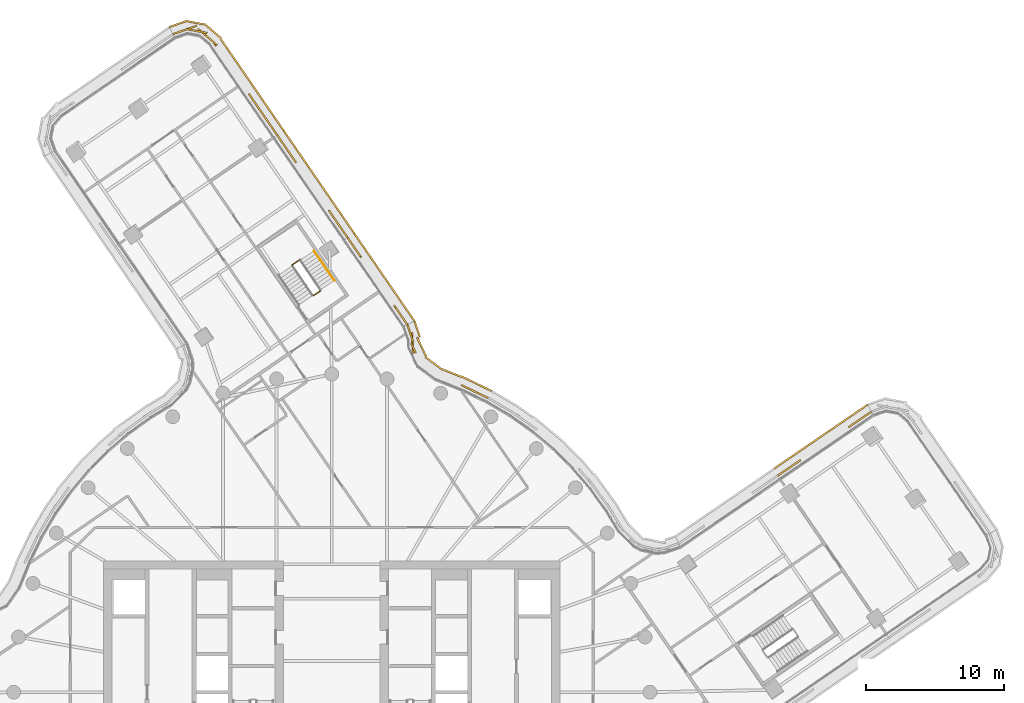
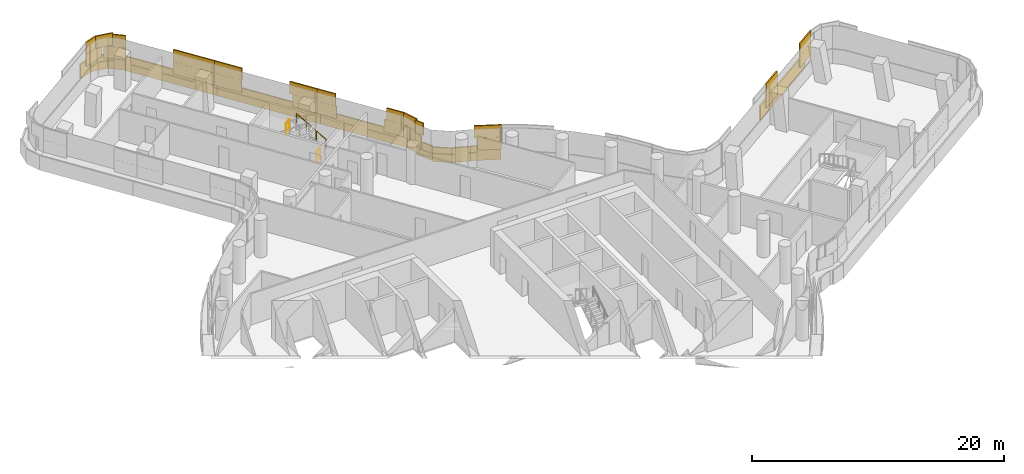
# One storey, part 33 of 33: 5 coverings, 3 railings.
"""IFC4 building model written with IfcOpenShell, lengths in metres."""

from ifc_helpers import new_model, si_unit, direction, frame, origin, origin_2d, place, context, subcontext, project, spatial, rectangle, circle, extrude, material, layer, layer_set, type_object, element, save


model = new_model("IFC4")

# Units and contexts
model_context = context("Model", 3, precision=1e-05, world=origin(), true_north=direction((0.0, 1.0)))
body_context = subcontext(model_context, "Body", "Model", "MODEL_VIEW")
ifc_project = project(units=[si_unit("LENGTHUNIT", "METRE"), si_unit("AREAUNIT", "SQUARE_METRE"), si_unit("VOLUMEUNIT", "CUBIC_METRE"), si_unit("PLANEANGLEUNIT", "RADIAN"), si_unit("MASSUNIT", "GRAM", prefix="KILO")], contexts=[model_context])

# Site, building, storey
site_placement = place(None, origin())
site = spatial("IfcSite", under=ifc_project, at=site_placement, CompositionType="ELEMENT")
building_placement = place(site_placement, origin())
building = spatial("IfcBuilding", under=site, at=building_placement, Name="Tamarind Cross Interchange Tower", CompositionType="ELEMENT")
storey_placement = place(building_placement, frame((0.0, 0.0, 159.25)))
storey = spatial("IfcBuildingStorey", under=building, at=storey_placement, Name="L39", CompositionType="ELEMENT", Elevation=159.25)

# Railings
ifc_material_1 = material(Name="Stair guard")
railing_type_1 = type_object("IfcRailingType", Name="Stair guard", PredefinedType="GUARDRAIL", material=ifc_material_1)
for number, where, name in (
    (1, (-2.34619140625, 31.245849609375, 1.875), "L39 ST4 stair guard 2"),
    (2, (-0.81787109375, 29.020263671875, 0.0), "L39 ST4 stair guard 4"),
):
    element("IfcRailing", number, at=place(storey_placement, frame(where)), inside=storey, type_object=railing_type_1, Name=name, PredefinedType="GUARDRAIL", context=body_context, shape_type="SweptSolid", body=[
        extrude(circle(Radius=0.02392578125, at=origin_2d()), frame((0.0, 0.0, 1.076171875), z_axis=(-0.824397941764, -0.566010630303, 0.0), x_axis=(0.566010630303, -0.824397941764, 0.0)), (0.0, 0.0, 1.0), 0.60009765625),
        extrude(circle(Radius=0.02099609375, at=origin_2d()), origin(), (0.0, 0.0, 1.0), 1.052001953125),
        extrude(circle(Radius=0.02099609375, at=origin_2d()), frame((-0.49462890625, -0.339599609375, 0.0)), (0.0, 0.0, 1.0), 1.052001953125),
    ])
ifc_material_2 = material(Name="Stair handrail")
railing_type_2 = type_object("IfcRailingType", Name="Stair handrail", PredefinedType="HANDRAIL", material=ifc_material_2)
railing_placement = place(storey_placement, frame((0.184326171875, 29.76904296875, 0.17041015625)))
element("IfcRailing", 3, at=railing_placement, inside=storey, type_object=railing_type_2, Name="L39 ST4 stair handrail 1", PredefinedType="HANDRAIL", context=body_context, shape_type="SweptSolid", body=[
    extrude(circle(Radius=0.02392578125, at=origin_2d()), frame((0.0, 0.0, 0.8759765625), z_axis=(-0.473437544689, 0.689386001796, 0.548273500916), x_axis=(-0.824329489188, -0.566110318979, 0.0)), (0.0, 0.0, 1.0), 3.109130859375),
    extrude(circle(Radius=0.02099609375, at=origin_2d()), origin(), (0.0, 0.0, 1.0), 0.851806640625),
    extrude(circle(Radius=0.02099609375, at=origin_2d()), frame((-0.49072265625, 0.71435546875, 0.568115234375)), (0.0, 0.0, 1.0), 0.851806640625),
    extrude(circle(Radius=0.02099609375, at=origin_2d()), frame((-0.981201171875, 1.428955078125, 1.136474609375)), (0.0, 0.0, 1.0), 0.851806640625),
    extrude(circle(Radius=0.02099609375, at=origin_2d()), frame((-1.471923828125, 2.143310546875, 1.70458984375)), (0.0, 0.0, 1.0), 0.851806640625),
])

# Coverings
ifc_material_3 = material(Name="Terracotta", Category="masonry")
ifc_layer = layer(ifc_material_3, 0.1201171875)
ifc_layer_set = layer_set([ifc_layer], Name="Terracotta")
covering_type = type_object("IfcCoveringType", Name="Terracotta baguette screen unit", PredefinedType="MOLDING", material=ifc_layer_set)
covering_1_placement = place(storey_placement, origin())
element("IfcCovering", 4, at=covering_1_placement, inside=storey, type_object=covering_type, Name="SCR-L39-09-00", PredefinedType="MOLDING", context=body_context, shape_type="SweptSolid", body=[
    extrude(rectangle(XDim=0.760009765625, YDim=0.1201171875, at=origin_2d()), frame((38.702392578125, 20.07177734375, 1.404052734375), z_axis=(0.0, 0.0, 1.0), x_axis=(-0.825569418072, -0.564300572341, 0.0)), (0.0, 0.0, 1.0), 1.1669921875),
    extrude(rectangle(XDim=1.2568359375, YDim=0.1201171875, at=origin_2d()), frame((37.8779296875, 19.50830078125, 1.404052734375), z_axis=(0.0, 0.0, 1.0), x_axis=(-0.825569418072, -0.564300572341, 0.0)), (0.0, 0.0, 1.0), 1.1669921875),
    extrude(rectangle(XDim=0.563232421875, YDim=0.1201171875, at=origin_2d()), frame((33.667724609375, 16.63037109375, 1.404052734375), z_axis=(0.0, 0.0, 1.0), x_axis=(-0.825569418072, -0.564300572341, 0.0)), (0.0, 0.0, 1.0), 1.1669921875),
    extrude(rectangle(XDim=1.45361328125, YDim=0.1201171875, at=origin_2d()), frame((32.84326171875, 16.06689453125, 1.404052734375), z_axis=(0.0, 0.0, 1.0), x_axis=(-0.825569418072, -0.564300572341, 0.0)), (0.0, 0.0, 1.0), 1.1669921875),
    extrude(rectangle(XDim=1.510009765625, YDim=0.1201171875, at=origin_2d()), frame((38.392578125, 19.860107421875, 2.5791015625), z_axis=(0.0, 0.0, 1.0), x_axis=(-0.825569418072, -0.564300572341, 0.0)), (0.0, 0.0, 1.0), 1.1669921875),
    extrude(rectangle(XDim=0.5068359375, YDim=0.1201171875, at=origin_2d()), frame((37.568359375, 19.296630859375, 2.5791015625), z_axis=(0.0, 0.0, 1.0), x_axis=(-0.825569418072, -0.564300572341, 0.0)), (0.0, 0.0, 1.0), 1.1669921875),
    extrude(rectangle(XDim=1.313232421875, YDim=0.1201171875, at=origin_2d()), frame((33.35791015625, 16.418701171875, 2.5791015625), z_axis=(0.0, 0.0, 1.0), x_axis=(-0.825569418072, -0.564300572341, 0.0)), (0.0, 0.0, 1.0), 1.1669921875),
    extrude(rectangle(XDim=0.70361328125, YDim=0.1201171875, at=origin_2d()), frame((32.53369140625, 15.855224609375, 2.5791015625), z_axis=(0.0, 0.0, 1.0), x_axis=(-0.825569418072, -0.564300572341, 0.0)), (0.0, 0.0, 1.0), 1.1669921875),
    extrude(rectangle(XDim=0.760009765625, YDim=0.1201171875, at=origin_2d()), frame((38.43603515625, 20.5849609375, 0.00390625), z_axis=(0.0, 0.0, 1.0), x_axis=(-0.825569418072, -0.564300572341, 0.0)), (0.0, 0.0, 1.0), 1.39208984375),
    extrude(rectangle(XDim=1.52001953125, YDim=0.1201171875, at=origin_2d()), frame((37.511474609375, 19.952880859375, 0.00390625), z_axis=(0.0, 0.0, 1.0), x_axis=(-0.825569418072, -0.564300572341, 0.0)), (0.0, 0.0, 1.0), 1.39208984375),
    extrude(rectangle(XDim=1.52001953125, YDim=0.1201171875, at=origin_2d()), frame((36.273193359375, 19.1064453125, 0.00390625), z_axis=(0.0, 0.0, 1.0), x_axis=(-0.825569418072, -0.564300572341, 0.0)), (0.0, 0.0, 1.0), 1.39208984375),
    extrude(rectangle(XDim=1.52001953125, YDim=0.1201171875, at=origin_2d()), frame((35.03466796875, 18.260009765625, 0.00390625), z_axis=(0.0, 0.0, 1.0), x_axis=(-0.825569418072, -0.564300572341, 0.0)), (0.0, 0.0, 1.0), 1.39208984375),
    extrude(rectangle(XDim=1.52001953125, YDim=0.1201171875, at=origin_2d()), frame((33.79638671875, 17.41357421875, 0.00390625), z_axis=(0.0, 0.0, 1.0), x_axis=(-0.825569418072, -0.564300572341, 0.0)), (0.0, 0.0, 1.0), 1.39208984375),
    extrude(rectangle(XDim=1.4521484375, YDim=0.1201171875, at=origin_2d()), frame((32.5859375, 16.58642578125, 0.00390625), z_axis=(0.0, 0.0, 1.0), x_axis=(-0.825569418072, -0.564300572341, 0.0)), (0.0, 0.0, 1.0), 1.39208984375),
])
covering_2_placement = place(storey_placement, origin())
element("IfcCovering", 5, at=covering_2_placement, inside=storey, type_object=covering_type, Name="SCR-L39-10-01", PredefinedType="MOLDING", context=body_context, shape_type="SweptSolid", body=[
    extrude(rectangle(XDim=0.378173828125, YDim=0.1201171875, at=origin_2d()), frame((11.124755859375, 21.351806640625, 1.404052734375), z_axis=(0.0, 0.0, 1.0), x_axis=(-0.900272776334, 0.435326231914, 0.0)), (0.0, 0.0, 1.0), 1.1669921875),
    extrude(rectangle(XDim=1.52001953125, YDim=0.1201171875, at=origin_2d()), frame((10.28369140625, 21.758544921875, 1.404052734375), z_axis=(0.0, 0.0, 1.0), x_axis=(-0.900272776334, 0.435326231914, 0.0)), (0.0, 0.0, 1.0), 1.1669921875),
    extrude(rectangle(XDim=1.52001953125, YDim=0.1201171875, at=origin_2d()), frame((5.8330078125, 25.2578125, 1.404052734375), z_axis=(0.0, 0.0, 1.0), x_axis=(-0.053711641951, 0.998556487896, 0.0)), (0.0, 0.0, 1.0), 1.1669921875),
    extrude(rectangle(XDim=0.631591796875, YDim=0.1201171875, at=origin_2d()), frame((5.5625, 26.27587890625, 1.404052734375), z_axis=(0.0, 0.0, 1.0), x_axis=(-0.321913189658, 0.946769189573, 0.0)), (0.0, 0.0, 1.0), 1.1669921875),
    extrude(rectangle(XDim=1.128173828125, YDim=0.1201171875, at=origin_2d()), frame((10.787109375, 21.51513671875, 2.5791015625), z_axis=(0.0, 0.0, 1.0), x_axis=(-0.900272776334, 0.435326231914, 0.0)), (0.0, 0.0, 1.0), 1.1669921875),
    extrude(rectangle(XDim=1.03662109375, YDim=0.1201171875, at=origin_2d()), frame((9.821533203125, 21.98193359375, 2.5791015625), z_axis=(0.0, 0.0, 1.0), x_axis=(-0.900272776334, 0.435326231914, 0.0)), (0.0, 0.0, 1.0), 1.1669921875),
    extrude(rectangle(XDim=0.783203125, YDim=0.1201171875, at=origin_2d()), frame((5.8935546875, 24.8818359375, 2.5791015625), z_axis=(0.0, 0.0, 1.0), x_axis=(-0.434881491135, 0.900487694901, 0.0)), (0.0, 0.0, 1.0), 1.1669921875),
    extrude(rectangle(XDim=1.381591796875, YDim=0.1201171875, at=origin_2d()), frame((5.68310546875, 25.9208984375, 2.5791015625), z_axis=(0.0, 0.0, 1.0), x_axis=(-0.321913189658, 0.946769189573, 0.0)), (0.0, 0.0, 1.0), 1.1669921875),
    extrude(rectangle(XDim=0.93017578125, YDim=0.1201171875, at=origin_2d()), frame((11.14111328125, 21.9814453125, 0.00390625), z_axis=(0.0, 0.0, 1.0), x_axis=(-0.900272776334, 0.435326231914, 0.0)), (0.0, 0.0, 1.0), 1.39208984375),
    extrude(rectangle(XDim=1.52001953125, YDim=0.1201171875, at=origin_2d()), frame((10.056396484375, 22.506103515625, 0.00390625), z_axis=(0.0, 0.0, 1.0), x_axis=(-0.900272776334, 0.435326231914, 0.0)), (0.0, 0.0, 1.0), 1.39208984375),
    extrude(rectangle(XDim=1.52001953125, YDim=0.1201171875, at=origin_2d()), frame((8.670654296875, 23.0791015625, 0.00390625), z_axis=(0.0, 0.0, 1.0), x_axis=(-0.928961420688, 0.370176550951, 0.0)), (0.0, 0.0, 1.0), 1.39208984375),
    extrude(rectangle(XDim=1.52001953125, YDim=0.1201171875, at=origin_2d()), frame((7.362060546875, 23.786376953125, 0.00390625), z_axis=(0.0, 0.0, 1.0), x_axis=(-0.80214782086, 0.597125508992, 0.0)), (0.0, 0.0, 1.0), 1.39208984375),
    extrude(rectangle(XDim=1.52001953125, YDim=0.1201171875, at=origin_2d()), frame((6.493896484375, 24.958740234375, 0.00390625), z_axis=(0.0, 0.0, 1.0), x_axis=(-0.434881491135, 0.900487694901, 0.0)), (0.0, 0.0, 1.0), 1.39208984375),
    extrude(rectangle(XDim=1.21728515625, YDim=0.1201171875, at=origin_2d()), frame((6.17626953125, 26.253662109375, 0.00390625), z_axis=(0.0, 0.0, 1.0), x_axis=(-0.321913189658, 0.946769189573, 0.0)), (0.0, 0.0, 1.0), 1.39208984375),
])
covering_3_placement = place(storey_placement, origin())
element("IfcCovering", 6, at=covering_3_placement, inside=storey, type_object=covering_type, Name="SCR-L39-11-00", PredefinedType="MOLDING", context=body_context, shape_type="SweptSolid", body=[
    extrude(rectangle(XDim=0.760009765625, YDim=0.1201171875, at=origin_2d()), frame((5.25, 26.87939453125, 1.404052734375), z_axis=(0.0, 0.0, 1.0), x_axis=(-0.566095508429, 0.824339660174, 0.0)), (0.0, 0.0, 1.0), 1.1669921875),
    extrude(rectangle(XDim=0.969970703125, YDim=0.1201171875, at=origin_2d()), frame((4.76611328125, 27.583984375, 1.404052734375), z_axis=(0.0, 0.0, 1.0), x_axis=(-0.566095508429, 0.824339660174, 0.0)), (0.0, 0.0, 1.0), 1.1669921875),
    extrude(rectangle(XDim=0.85009765625, YDim=0.1201171875, at=origin_2d()), frame((1.87890625, 31.788330078125, 1.404052734375), z_axis=(0.0, 0.0, 1.0), x_axis=(-0.566095508429, 0.824339660174, 0.0)), (0.0, 0.0, 1.0), 1.1669921875),
    extrude(rectangle(XDim=0.8798828125, YDim=0.1201171875, at=origin_2d()), frame((1.39501953125, 32.492919921875, 1.404052734375), z_axis=(0.0, 0.0, 1.0), x_axis=(-0.566095508429, 0.824339660174, 0.0)), (0.0, 0.0, 1.0), 1.1669921875),
    extrude(rectangle(XDim=1.510009765625, YDim=0.1201171875, at=origin_2d()), frame((5.037841796875, 27.1884765625, 2.5791015625), z_axis=(0.0, 0.0, 1.0), x_axis=(-0.566095508429, 0.824339660174, 0.0)), (0.0, 0.0, 1.0), 1.1669921875),
    extrude(rectangle(XDim=1.52001953125, YDim=0.1201171875, at=origin_2d()), frame((1.64111328125, 32.134521484375, 2.5791015625), z_axis=(0.0, 0.0, 1.0), x_axis=(-0.566095508429, 0.824339660174, 0.0)), (0.0, 0.0, 1.0), 1.1669921875),
    extrude(rectangle(XDim=0.1298828125, YDim=0.1201171875, at=origin_2d()), frame((1.1826171875, 32.802001953125, 2.5791015625), z_axis=(0.0, 0.0, 1.0), x_axis=(-0.566095508429, 0.824339660174, 0.0)), (0.0, 0.0, 1.0), 1.1669921875),
    extrude(rectangle(XDim=0.760009765625, YDim=0.1201171875, at=origin_2d()), frame((5.76513671875, 27.14306640625, 0.00390625), z_axis=(0.0, 0.0, 1.0), x_axis=(-0.566095508429, 0.824339660174, 0.0)), (0.0, 0.0, 1.0), 1.39208984375),
    extrude(rectangle(XDim=1.52001953125, YDim=0.1201171875, at=origin_2d()), frame((5.131103515625, 28.06640625, 0.00390625), z_axis=(0.0, 0.0, 1.0), x_axis=(-0.566095508429, 0.824339660174, 0.0)), (0.0, 0.0, 1.0), 1.39208984375),
    extrude(rectangle(XDim=1.52001953125, YDim=0.1201171875, at=origin_2d()), frame((4.281982421875, 29.302978515625, 0.00390625), z_axis=(0.0, 0.0, 1.0), x_axis=(-0.566095508429, 0.824339660174, 0.0)), (0.0, 0.0, 1.0), 1.39208984375),
    extrude(rectangle(XDim=1.52001953125, YDim=0.1201171875, at=origin_2d()), frame((3.432861328125, 30.539306640625, 0.00390625), z_axis=(0.0, 0.0, 1.0), x_axis=(-0.566095508429, 0.824339660174, 0.0)), (0.0, 0.0, 1.0), 1.39208984375),
    extrude(rectangle(XDim=1.52001953125, YDim=0.1201171875, at=origin_2d()), frame((2.583740234375, 31.77587890625, 0.00390625), z_axis=(0.0, 0.0, 1.0), x_axis=(-0.566095508429, 0.824339660174, 0.0)), (0.0, 0.0, 1.0), 1.39208984375),
    extrude(rectangle(XDim=0.92724609375, YDim=0.1201171875, at=origin_2d()), frame((1.90234375, 32.76806640625, 0.00390625), z_axis=(0.0, 0.0, 1.0), x_axis=(-0.566095508429, 0.824339660174, 0.0)), (0.0, 0.0, 1.0), 1.39208984375),
])
covering_4_placement = place(storey_placement, origin())
element("IfcCovering", 7, at=covering_4_placement, inside=storey, type_object=covering_type, Name="SCR-L39-11-01", PredefinedType="MOLDING", context=body_context, shape_type="SweptSolid", body=[
    extrude(rectangle(XDim=0.64013671875, YDim=0.1201171875, at=origin_2d()), frame((0.970458984375, 33.111328125, 1.404052734375), z_axis=(0.0, 0.0, 1.0), x_axis=(-0.566095508429, 0.824339660174, 0.0)), (0.0, 0.0, 1.0), 1.1669921875),
    extrude(rectangle(XDim=1.52001953125, YDim=0.1201171875, at=origin_2d()), frame((0.367431640625, 33.9892578125, 1.404052734375), z_axis=(0.0, 0.0, 1.0), x_axis=(-0.566095508429, 0.824339660174, 0.0)), (0.0, 0.0, 1.0), 1.1669921875),
    extrude(rectangle(XDim=1.52001953125, YDim=0.1201171875, at=origin_2d()), frame((-3.029052734375, 38.935302734375, 1.404052734375), z_axis=(0.0, 0.0, 1.0), x_axis=(-0.566095508429, 0.824339660174, 0.0)), (0.0, 0.0, 1.0), 1.1669921875),
    extrude(rectangle(XDim=0.888671875, YDim=0.1201171875, at=origin_2d()), frame((-3.702392578125, 39.915771484375, 1.404052734375), z_axis=(0.0, 0.0, 1.0), x_axis=(-0.566095508429, 0.824339660174, 0.0)), (0.0, 0.0, 1.0), 1.1669921875),
    extrude(rectangle(XDim=1.39013671875, YDim=0.1201171875, at=origin_2d()), frame((0.758056640625, 33.42041015625, 2.5791015625), z_axis=(0.0, 0.0, 1.0), x_axis=(-0.566095508429, 0.824339660174, 0.0)), (0.0, 0.0, 1.0), 1.1669921875),
    extrude(rectangle(XDim=1.0341796875, YDim=0.1201171875, at=origin_2d()), frame((0.07763671875, 34.411376953125, 2.5791015625), z_axis=(0.0, 0.0, 1.0), x_axis=(-0.566095508429, 0.824339660174, 0.0)), (0.0, 0.0, 1.0), 1.1669921875),
    extrude(rectangle(XDim=0.78564453125, YDim=0.1201171875, at=origin_2d()), frame((-2.8095703125, 38.615478515625, 2.5791015625), z_axis=(0.0, 0.0, 1.0), x_axis=(-0.566095508429, 0.824339660174, 0.0)), (0.0, 0.0, 1.0), 1.1669921875),
    extrude(rectangle(XDim=1.52001953125, YDim=0.1201171875, at=origin_2d()), frame((-3.45361328125, 39.553466796875, 2.5791015625), z_axis=(0.0, 0.0, 1.0), x_axis=(-0.566095508429, 0.824339660174, 0.0)), (0.0, 0.0, 1.0), 1.1669921875),
    extrude(rectangle(XDim=0.138671875, YDim=0.1201171875, at=origin_2d()), frame((-3.91455078125, 40.224853515625, 2.5791015625), z_axis=(0.0, 0.0, 1.0), x_axis=(-0.566095508429, 0.824339660174, 0.0)), (0.0, 0.0, 1.0), 1.1669921875),
    extrude(rectangle(XDim=0.5927734375, YDim=0.1201171875, at=origin_2d()), frame((1.47216796875, 33.39453125, 0.00390625), z_axis=(0.0, 0.0, 1.0), x_axis=(-0.566095508429, 0.824339660174, 0.0)), (0.0, 0.0, 1.0), 1.39208984375),
    extrude(rectangle(XDim=1.52001953125, YDim=0.1201171875, at=origin_2d()), frame((0.885498046875, 34.2490234375, 0.00390625), z_axis=(0.0, 0.0, 1.0), x_axis=(-0.566095508429, 0.824339660174, 0.0)), (0.0, 0.0, 1.0), 1.39208984375),
    extrude(rectangle(XDim=1.52001953125, YDim=0.1201171875, at=origin_2d()), frame((0.036376953125, 35.4853515625, 0.00390625), z_axis=(0.0, 0.0, 1.0), x_axis=(-0.566095508429, 0.824339660174, 0.0)), (0.0, 0.0, 1.0), 1.39208984375),
    extrude(rectangle(XDim=1.52001953125, YDim=0.1201171875, at=origin_2d()), frame((-0.812744140625, 36.721923828125, 0.00390625), z_axis=(0.0, 0.0, 1.0), x_axis=(-0.566095508429, 0.824339660174, 0.0)), (0.0, 0.0, 1.0), 1.39208984375),
    extrude(rectangle(XDim=1.52001953125, YDim=0.1201171875, at=origin_2d()), frame((-1.661865234375, 37.95849609375, 0.00390625), z_axis=(0.0, 0.0, 1.0), x_axis=(-0.566095508429, 0.824339660174, 0.0)), (0.0, 0.0, 1.0), 1.39208984375),
    extrude(rectangle(XDim=1.52001953125, YDim=0.1201171875, at=origin_2d()), frame((-2.510986328125, 39.195068359375, 0.00390625), z_axis=(0.0, 0.0, 1.0), x_axis=(-0.566095508429, 0.824339660174, 0.0)), (0.0, 0.0, 1.0), 1.39208984375),
    extrude(rectangle(XDim=0.9921875, YDim=0.1201171875, at=origin_2d()), frame((-3.2109375, 40.2138671875, 0.00390625), z_axis=(0.0, 0.0, 1.0), x_axis=(-0.566095508429, 0.824339660174, 0.0)), (0.0, 0.0, 1.0), 1.39208984375),
])
covering_5_placement = place(storey_placement, origin())
element("IfcCovering", 8, at=covering_5_placement, inside=storey, type_object=covering_type, Name="SCR-L39-11-02", PredefinedType="MOLDING", context=body_context, shape_type="SweptSolid", body=[
    extrude(rectangle(XDim=0.63134765625, YDim=0.1201171875, at=origin_2d()), frame((-4.126953125, 40.533935546875, 1.404052734375), z_axis=(0.0, 0.0, 1.0), x_axis=(-0.566095508429, 0.824339660174, 0.0)), (0.0, 0.0, 1.0), 1.1669921875),
    extrude(rectangle(XDim=1.52001953125, YDim=0.1201171875, at=origin_2d()), frame((-4.727294921875, 41.408203125, 1.404052734375), z_axis=(0.0, 0.0, 1.0), x_axis=(-0.566095508429, 0.824339660174, 0.0)), (0.0, 0.0, 1.0), 1.1669921875),
    extrude(rectangle(XDim=1.502685546875, YDim=0.1201171875, at=origin_2d()), frame((-5.574462890625, 42.641845703125, 1.404052734375), z_axis=(0.0, 0.0, 1.0), x_axis=(-0.566095508429, 0.824339660174, 0.0)), (0.0, 0.0, 1.0), 1.1669921875),
    extrude(rectangle(XDim=0.3173828125, YDim=0.1201171875, at=origin_2d()), frame((-8.46142578125, 46.845947265625, 1.404052734375), z_axis=(0.0, 0.0, 1.0), x_axis=(-0.566095508429, 0.824339660174, 0.0)), (0.0, 0.0, 1.0), 1.1669921875),
    extrude(rectangle(XDim=1.52001953125, YDim=0.1201171875, at=origin_2d()), frame((-9.10302734375, 47.473876953125, 1.404052734375), z_axis=(0.0, 0.0, 1.0), x_axis=(-0.760161075424, 0.649734668468, 0.0)), (0.0, 0.0, 1.0), 1.1669921875),
    extrude(rectangle(XDim=1.52001953125, YDim=0.1201171875, at=origin_2d()), frame((-10.487548828125, 47.927978515625, 1.404052734375), z_axis=(0.0, 0.0, 1.0), x_axis=(-0.942767266325, -0.333451468051, 0.0)), (0.0, 0.0, 1.0), 1.1669921875),
    extrude(rectangle(XDim=0.316650390625, YDim=0.1201171875, at=origin_2d()), frame((-11.339111328125, 47.626708984375, 1.404052734375), z_axis=(0.0, 0.0, 1.0), x_axis=(-0.942767266325, -0.333451468051, 0.0)), (0.0, 0.0, 1.0), 1.1669921875),
    extrude(rectangle(XDim=1.38134765625, YDim=0.1201171875, at=origin_2d()), frame((-4.339111328125, 40.843017578125, 2.5791015625), z_axis=(0.0, 0.0, 1.0), x_axis=(-0.566095508429, 0.824339660174, 0.0)), (0.0, 0.0, 1.0), 1.1669921875),
    extrude(rectangle(XDim=1.52001953125, YDim=0.1201171875, at=origin_2d()), frame((-5.15185546875, 42.026611328125, 2.5791015625), z_axis=(0.0, 0.0, 1.0), x_axis=(-0.566095508429, 0.824339660174, 0.0)), (0.0, 0.0, 1.0), 1.1669921875),
    extrude(rectangle(XDim=0.752685546875, YDim=0.1201171875, at=origin_2d()), frame((-5.78662109375, 42.950927734375, 2.5791015625), z_axis=(0.0, 0.0, 1.0), x_axis=(-0.566095508429, 0.824339660174, 0.0)), (0.0, 0.0, 1.0), 1.1669921875),
    extrude(rectangle(XDim=1.0673828125, YDim=0.1201171875, at=origin_2d()), frame((-8.701171875, 47.13037109375, 2.5791015625), z_axis=(0.0, 0.0, 1.0), x_axis=(-0.760161075424, 0.649734668468, 0.0)), (0.0, 0.0, 1.0), 1.1669921875),
    extrude(rectangle(XDim=1.52001953125, YDim=0.1201171875, at=origin_2d()), frame((-9.750732421875, 47.798583984375, 2.5791015625), z_axis=(0.0, 0.0, 1.0), x_axis=(-0.98318613652, 0.182606190901, 0.0)), (0.0, 0.0, 1.0), 1.1669921875),
    extrude(rectangle(XDim=1.066650390625, YDim=0.1201171875, at=origin_2d()), frame((-10.985595703125, 47.751708984375, 2.5791015625), z_axis=(0.0, 0.0, 1.0), x_axis=(-0.942767266325, -0.333451468051, 0.0)), (0.0, 0.0, 1.0), 1.1669921875),
    extrude(rectangle(XDim=0.52783203125, YDim=0.1201171875, at=origin_2d()), frame((-3.64111328125, 40.840576171875, 0.00390625), z_axis=(0.0, 0.0, 1.0), x_axis=(-0.566095508429, 0.824339660174, 0.0)), (0.0, 0.0, 1.0), 1.39208984375),
    extrude(rectangle(XDim=1.52001953125, YDim=0.1201171875, at=origin_2d()), frame((-4.20947265625, 41.66796875, 0.00390625), z_axis=(0.0, 0.0, 1.0), x_axis=(-0.566095508429, 0.824339660174, 0.0)), (0.0, 0.0, 1.0), 1.39208984375),
    extrude(rectangle(XDim=1.52001953125, YDim=0.1201171875, at=origin_2d()), frame((-5.05859375, 42.904541015625, 0.00390625), z_axis=(0.0, 0.0, 1.0), x_axis=(-0.566095508429, 0.824339660174, 0.0)), (0.0, 0.0, 1.0), 1.39208984375),
    extrude(rectangle(XDim=1.52001953125, YDim=0.1201171875, at=origin_2d()), frame((-5.90771484375, 44.14111328125, 0.00390625), z_axis=(0.0, 0.0, 1.0), x_axis=(-0.566095508429, 0.824339660174, 0.0)), (0.0, 0.0, 1.0), 1.39208984375),
    extrude(rectangle(XDim=1.52001953125, YDim=0.1201171875, at=origin_2d()), frame((-6.7568359375, 45.37744140625, 0.00390625), z_axis=(0.0, 0.0, 1.0), x_axis=(-0.566095508429, 0.824339660174, 0.0)), (0.0, 0.0, 1.0), 1.39208984375),
    extrude(rectangle(XDim=1.52001953125, YDim=0.1201171875, at=origin_2d()), frame((-7.60595703125, 46.614013671875, 0.00390625), z_axis=(0.0, 0.0, 1.0), x_axis=(-0.566095508429, 0.824339660174, 0.0)), (0.0, 0.0, 1.0), 1.39208984375),
    extrude(rectangle(XDim=1.52001953125, YDim=0.1201171875, at=origin_2d()), frame((-8.554931640625, 47.7607421875, 0.00390625), z_axis=(0.0, 0.0, 1.0), x_axis=(-0.760161075424, 0.649734668468, 0.0)), (0.0, 0.0, 1.0), 1.39208984375),
    extrude(rectangle(XDim=1.52001953125, YDim=0.1201171875, at=origin_2d()), frame((-9.8544921875, 48.401611328125, 0.00390625), z_axis=(0.0, 0.0, 1.0), x_axis=(-0.98318613652, 0.182606190901, 0.0)), (0.0, 0.0, 1.0), 1.39208984375),
    extrude(rectangle(XDim=1.237548828125, YDim=0.1201171875, at=origin_2d()), frame((-11.162841796875, 48.2978515625, 0.00390625), z_axis=(0.0, 0.0, 1.0), x_axis=(-0.942767266325, -0.333451468051, 0.0)), (0.0, 0.0, 1.0), 1.39208984375),
])

save(model, "model.ifc")
